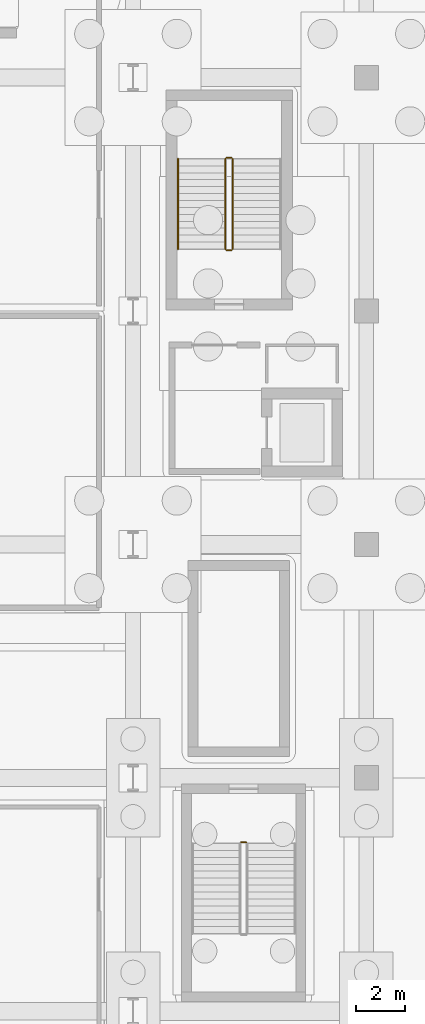
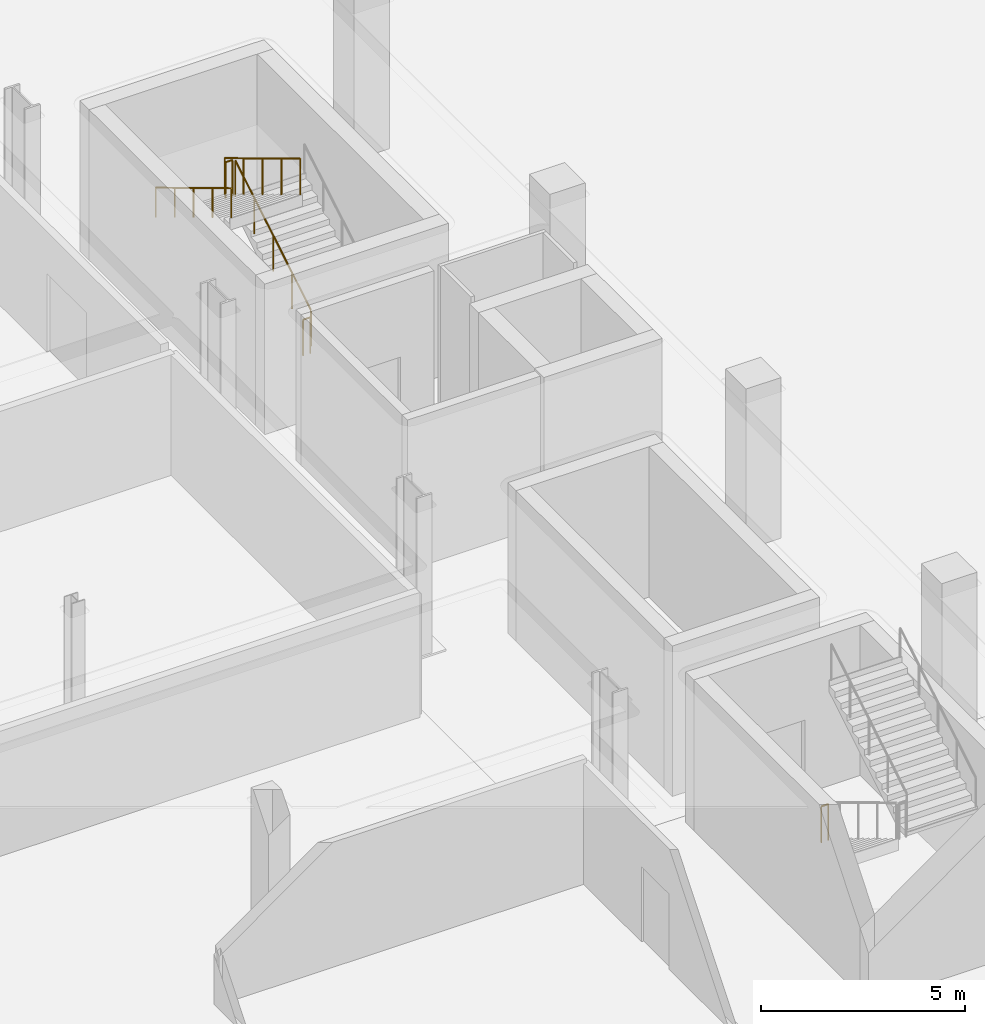
# One storey, part 49 of 67: 6 railings.
"""IFC4 building model written with IfcOpenShell, lengths in metres."""

import ifcopenshell
import ifcopenshell.guid

model = None  # the IFC model being written
_history = None  # IfcOwnerHistory: only IFC2X3 demands one
_inside = {}  # id of a spatial element -> (the spatial element, [elements in it])
_under = {}  # id of a project, library or spatial element -> (it, [spatial elements below it])
_declared = {}  # id of a project -> (the project, [libraries it declares])
_typed = {}  # id of a type object -> (the type object, [elements of that type])
_made_of = {}  # id of a material, layer set ... -> (it, [elements and type objects made of it])


def new_model(schema):
    """Start an empty IFC model of exactly this schema.

    Asked for "IFC4X3", IfcOpenShell would pick the latest addendum, in which some entities
    have other attributes; the version numbers below select the first issue.
    IFC2X3 requires an IfcOwnerHistory on every rooted entity: one is made here for all.
    """
    global model, _history
    if schema == "IFC4X3":
        model = ifcopenshell.file(schema_version=(4, 3, 0, 0))
    else:
        model = ifcopenshell.file(schema=schema)
    _inside.clear()
    _under.clear()
    _declared.clear()
    _typed.clear()
    _made_of.clear()
    _history = None
    if model.schema == "IFC2X3":
        org = make("IfcOrganization", Name="unknown")
        user = make(
            "IfcPersonAndOrganization",
            ThePerson=make("IfcPerson", FamilyName="unknown"),
            TheOrganization=org,
        )
        app = make(
            "IfcApplication",
            ApplicationDeveloper=org,
            Version="unknown",
            ApplicationFullName="unknown",
            ApplicationIdentifier="unknown",
        )
        _history = make(
            "IfcOwnerHistory",
            OwningUser=user,
            OwningApplication=app,
            ChangeAction="ADDED",
            CreationDate=0,
        )
    return model


def make(cls, **values):
    """One entity of the class cls with the attributes given. An attribute that is None is left unset."""
    return model.create_entity(
        cls, **{name: value for name, value in values.items() if value is not None}
    )


def rooted(cls, **values):
    """An entity with a GlobalId (a new one), such as an element, a storey or a relation."""
    return make(cls, GlobalId=ifcopenshell.guid.new(), OwnerHistory=_history, **values)


def si_unit(unit_type, name, prefix=None):
    """IfcSIUnit, for example si_unit("LENGTHUNIT", "METRE", prefix="MILLI")."""
    return make("IfcSIUnit", UnitType=unit_type, Prefix=prefix, Name=name)


def assignment(units):
    """IfcUnitAssignment: the units of a project."""
    return None if units is None else make("IfcUnitAssignment", Units=units)


def point(xyz):
    """IfcCartesianPoint."""
    return None if xyz is None else make("IfcCartesianPoint", Coordinates=xyz)


def direction(xyz):
    """IfcDirection."""
    return None if xyz is None else make("IfcDirection", DirectionRatios=xyz)


def frame(location, z_axis=None, x_axis=None):
    """IfcAxis2Placement3D, a coordinate frame: its origin and axes. An axis left out is left unset."""
    return make(
        "IfcAxis2Placement3D",
        Location=point(location),
        Axis=direction(z_axis),
        RefDirection=direction(x_axis),
    )


def frame_2d(location, x_axis=None):
    """IfcAxis2Placement2D, a coordinate frame in the plane: its origin and x axis."""
    return make(
        "IfcAxis2Placement2D", Location=point(location), RefDirection=direction(x_axis)
    )


def origin():
    """The frame at (0, 0, 0) with its axes left unset."""
    return frame((0.0, 0.0, 0.0))


def origin_2d():
    """The frame at (0, 0) in the plane with its x axis left unset."""
    return frame_2d((0.0, 0.0))


def place(relative_to, where):
    """IfcLocalPlacement: puts the frame where relative to a parent placement (None: the world)."""
    return make(
        "IfcLocalPlacement", PlacementRelTo=relative_to, RelativePlacement=where
    )


def context(
    kind, dimensions, precision=None, world=None, true_north=None, identifier=None
):
    """IfcGeometricRepresentationContext, for example the 3D "Model" context."""
    return make(
        "IfcGeometricRepresentationContext",
        ContextIdentifier=identifier,
        ContextType=kind,
        CoordinateSpaceDimension=dimensions,
        Precision=precision,
        WorldCoordinateSystem=world,
        TrueNorth=true_north,
    )


def subcontext(parent, identifier, kind, view, scale=None):
    """IfcGeometricRepresentationSubContext, for example "Body" below "Model"."""
    return make(
        "IfcGeometricRepresentationSubContext",
        ContextIdentifier=identifier,
        ContextType=kind,
        ParentContext=parent,
        TargetScale=scale,
        TargetView=view,
    )


def project(units=None, contexts=None):
    """IfcProject with its units and contexts."""
    return rooted(
        "IfcProject",
        Name="project",
        RepresentationContexts=contexts,
        UnitsInContext=assignment(units),
    )


def spatial(cls, under=None, at=None, **own):
    """A site, building, storey or space (cls), placed at a placement, below another one or the project."""
    s = rooted(cls, ObjectPlacement=at, **own)
    if under is not None:
        _under.setdefault(under.id(), (under, []))[1].append(s)
    return s


def profile(cls, at=None, kind="AREA", **sizes):
    """A parametric profile (cls). Its sizes go by their IFC names, for example OverallWidth=200.0."""
    return make(cls, ProfileType=kind, Position=at, **sizes)


def circle(**sizes):
    """IfcCircleProfileDef."""
    return profile("IfcCircleProfileDef", **sizes)


def extrude(swept, where, along, depth):
    """IfcExtrudedAreaSolid: the profile swept, set in the frame where, extruded along a direction by depth."""
    return make(
        "IfcExtrudedAreaSolid",
        SweptArea=swept,
        Position=where,
        ExtrudedDirection=direction(along),
        Depth=depth,
    )


def shape(context_of_items, identifier, shape_type, items):
    """IfcShapeRepresentation: the items that make up one representation, for example the "Body"."""
    return make(
        "IfcShapeRepresentation",
        ContextOfItems=context_of_items,
        RepresentationIdentifier=identifier,
        RepresentationType=shape_type,
        Items=items,
    )


def material(Name=None, Category=None):
    """IfcMaterial."""
    return make("IfcMaterial", Name=Name, Category=Category)


def made_of(thing, what):
    """Note that an element or type object is made of a material, layer set ...; save() writes the relation."""
    if what is not None:
        _made_of.setdefault(what.id(), (what, []))[1].append(thing)
    return thing


def type_object(cls, material=None, **own):
    """A type object (cls), such as IfcWallType, which elements share."""
    return made_of(rooted(cls, **own), material)


def element(
    cls,
    number,
    at=None,
    inside=None,
    cuts=None,
    type_object=None,
    material=None,
    context=None,
    identifier="Body",
    shape_type=None,
    held_by="IfcProductDefinitionShape",
    body=None,
    shapes=None,
    **own,
):
    """One element of the class cls, such as IfcWall. Its Tag is "e" and its number.

    at: its placement. inside: the storey or other place that contains it. cuts: it is an
    opening in that element (IfcRelVoidsElement). A single representation is given by context,
    identifier, shape_type and body (its items); several are given by shapes. held_by: the class
    of the entity that holds the representations. save() writes the other relations.
    """
    e = rooted(cls, Tag="e%d" % number, ObjectPlacement=at, **own)
    if body is not None:
        shapes = [shape(context, identifier, shape_type, body)]
    if shapes is not None:
        e.Representation = make(held_by, Representations=shapes)
    if inside is not None:
        _inside.setdefault(inside.id(), (inside, []))[1].append(e)
    if cuts is not None:
        rooted(
            "IfcRelVoidsElement", RelatingBuildingElement=cuts, RelatedOpeningElement=e
        )
    if type_object is not None:
        _typed.setdefault(type_object.id(), (type_object, []))[1].append(e)
    return made_of(e, material)


def aggregate(whole, parts):
    """IfcRelAggregates: a whole, such as a stair, and the parts it consists of."""
    return rooted("IfcRelAggregates", RelatingObject=whole, RelatedObjects=parts)


def save(model, path):
    """Write the relations noted so far, then the file.

    IfcRelAggregates (storeys below a building ...), IfcRelContainedInSpatialStructure (elements
    in a storey), IfcRelDefinesByType, IfcRelAssociatesMaterial and IfcRelDeclares: one each for
    every whole, place, type object, material and project.
    """
    for whole, parts in _under.values():
        aggregate(whole, parts)
    for where, things in _inside.values():
        rooted(
            "IfcRelContainedInSpatialStructure",
            RelatedElements=things,
            RelatingStructure=where,
        )
    for kind, things in _typed.values():
        rooted("IfcRelDefinesByType", RelatedObjects=things, RelatingType=kind)
    for what, things in _made_of.values():
        rooted("IfcRelAssociatesMaterial", RelatedObjects=things, RelatingMaterial=what)
    for by, libraries in _declared.values():
        rooted("IfcRelDeclares", RelatingContext=by, RelatedDefinitions=libraries)
    model.write(path)


model = new_model("IFC4")

# Units and contexts
model_context = context("Model", 3, precision=1e-05, world=origin(), true_north=direction((0.0, 1.0)))
body_context = subcontext(model_context, "Body", "Model", "MODEL_VIEW")
ifc_project = project(units=[si_unit("LENGTHUNIT", "METRE"), si_unit("AREAUNIT", "SQUARE_METRE"), si_unit("VOLUMEUNIT", "CUBIC_METRE"), si_unit("PLANEANGLEUNIT", "RADIAN"), si_unit("MASSUNIT", "GRAM", prefix="KILO")], contexts=[model_context])

# Site, building, storey
site_placement = place(None, origin())
site = spatial("IfcSite", under=ifc_project, at=site_placement, CompositionType="ELEMENT")
building_placement = place(site_placement, origin())
building = spatial("IfcBuilding", under=site, at=building_placement, Name="Caelomonte Colonnade Arena", CompositionType="ELEMENT")
storey_placement = place(building_placement, frame((0.0, 0.0, -4.800048828125)))
storey = spatial("IfcBuildingStorey", under=building, at=storey_placement, Name="B1", CompositionType="ELEMENT", Elevation=-4.800048828125)

# Railings
ifc_material_1 = material(Name="Painted galvanized steel stair guard", Category="steel")
railing_type_1 = type_object("IfcRailingType", Name="INT-RL-GRD", PredefinedType="GUARDRAIL", material=ifc_material_1)
railing_1_placement = place(storey_placement, frame((61.699951171875, 88.949951171875, 0.17138671875)))
element("IfcRailing", 1, at=railing_1_placement, inside=storey, type_object=railing_type_1, Name="B1 ST-04 stair guard 1", PredefinedType="GUARDRAIL", context=body_context, shape_type="SweptSolid", body=[
    extrude(circle(Radius=0.02392578125, at=origin_2d()), frame((0.0, 0.0, 1.076171875), z_axis=(0.0, 0.856909459561, 0.515466951525), x_axis=(-1.0, 0.0, 0.0)), (0.0, 0.0, 1.0), 4.32373046875),
    extrude(circle(Radius=0.02099609375, at=origin_2d()), origin(), (0.0, 0.0, 1.0), 1.048095703125),
    extrude(circle(Radius=0.02099609375, at=origin_2d()), frame((0.0, 0.92626953125, 0.55712890625)), (0.0, 0.0, 1.0), 1.048095703125),
    extrude(circle(Radius=0.02099609375, at=origin_2d()), frame((0.0, 1.8525390625, 1.1142578125)), (0.0, 0.0, 1.0), 1.048095703125),
    extrude(circle(Radius=0.02099609375, at=origin_2d()), frame((0.0, 2.77880859375, 1.671630859375)), (0.0, 0.0, 1.0), 1.048095703125),
    extrude(circle(Radius=0.02099609375, at=origin_2d()), frame((0.0, 3.705078125, 2.228759765625)), (0.0, 0.0, 1.0), 1.048095703125),
])
railing_2_placement = place(storey_placement, frame((61.64990234375, 92.705078125, 2.400146484375)))
element("IfcRailing", 2, at=railing_2_placement, inside=storey, type_object=railing_type_1, Name="B1 ST-04 stair guard 2", PredefinedType="GUARDRAIL", context=body_context, shape_type="SweptSolid", body=[
    extrude(circle(Radius=0.02392578125, at=origin_2d()), frame((0.0, 0.0, 1.076171875), z_axis=(-1.0, 0.0, 0.0), x_axis=(0.0, -1.0, 0.0)), (0.0, 0.0, 1.0), 0.199951171875),
    extrude(circle(Radius=0.02099609375, at=origin_2d()), origin(), (0.0, 0.0, 1.0), 1.048095703125),
    extrude(circle(Radius=0.02099609375, at=origin_2d()), frame((-0.199951171875, 0.0, 0.0)), (0.0, 0.0, 1.0), 1.048095703125),
])
railing_3_placement = place(storey_placement, frame((61.39990234375, 92.655029296875, 2.571533203125)))
element("IfcRailing", 3, at=railing_3_placement, inside=storey, type_object=railing_type_1, Name="B1 ST-04 stair guard 3", PredefinedType="GUARDRAIL", context=body_context, shape_type="SweptSolid", body=[
    extrude(circle(Radius=0.02392578125, at=origin_2d()), frame((0.0, 0.0, 1.076171875), z_axis=(0.0, -0.856934400257, 0.515425487977), x_axis=(1.0, 0.0, 0.0)), (0.0, 0.0, 1.0), 4.32373046875),
    extrude(circle(Radius=0.02099609375, at=origin_2d()), origin(), (0.0, 0.0, 1.0), 1.048095703125),
    extrude(circle(Radius=0.02099609375, at=origin_2d()), frame((0.0, -0.92626953125, 0.55712890625)), (0.0, 0.0, 1.0), 1.048095703125),
    extrude(circle(Radius=0.02099609375, at=origin_2d()), frame((0.0, -1.8525390625, 1.1142578125)), (0.0, 0.0, 1.0), 1.048095703125),
    extrude(circle(Radius=0.02099609375, at=origin_2d()), frame((0.0, -2.77880859375, 1.67138671875)), (0.0, 0.0, 1.0), 1.048095703125),
    extrude(circle(Radius=0.02099609375, at=origin_2d()), frame((0.0, -3.705078125, 2.228515625)), (0.0, 0.0, 1.0), 1.048095703125),
])
railing_4_placement = place(storey_placement, frame((61.64990234375, 88.89990234375, 0.0)))
element("IfcRailing", 4, at=railing_4_placement, inside=storey, type_object=railing_type_1, Name="B1 ST-04 stair guard 4", PredefinedType="GUARDRAIL", context=body_context, shape_type="SweptSolid", body=[
    extrude(circle(Radius=0.02392578125, at=origin_2d()), frame((0.0, 0.0, 1.076171875), z_axis=(-1.0, 0.0, 0.0), x_axis=(0.0, -1.0, 0.0)), (0.0, 0.0, 1.0), 0.199951171875),
    extrude(circle(Radius=0.02099609375, at=origin_2d()), origin(), (0.0, 0.0, 1.0), 1.048095703125),
    extrude(circle(Radius=0.02099609375, at=origin_2d()), frame((-0.199951171875, 0.0, 0.0)), (0.0, 0.0, 1.0), 1.048095703125),
])
railing_5_placement = place(storey_placement, frame((62.050048828125, 64.550048828125, 0.0)))
element("IfcRailing", 5, at=railing_5_placement, inside=storey, type_object=railing_type_1, Name="B1 ST-09 stair guard 4", PredefinedType="GUARDRAIL", context=body_context, shape_type="SweptSolid", body=[
    extrude(circle(Radius=0.02392578125, at=origin_2d()), frame((0.0, 0.0, 1.076171875), z_axis=(1.0, 0.0, 0.0), x_axis=(0.0, 1.0, 0.0)), (0.0, 0.0, 1.0), 0.199951171875),
    extrude(circle(Radius=0.02099609375, at=origin_2d()), origin(), (0.0, 0.0, 1.0), 1.048095703125),
    extrude(circle(Radius=0.02099609375, at=origin_2d()), frame((0.199951171875, 0.0, 0.0)), (0.0, 0.0, 1.0), 1.048095703125),
])
ifc_material_2 = material(Name="Brushed stainless steel stair handrail", Category="steel")
railing_type_2 = type_object("IfcRailingType", Name="INT-RL-HR", PredefinedType="HANDRAIL", material=ifc_material_2)
railing_6_placement = place(storey_placement, frame((59.449951171875, 92.655029296875, 2.571533203125)))
element("IfcRailing", 6, at=railing_6_placement, inside=storey, type_object=railing_type_2, Name="B1 ST-04 stair handrail 2", PredefinedType="HANDRAIL", context=body_context, shape_type="SweptSolid", body=[
    extrude(circle(Radius=0.02392578125, at=origin_2d()), frame((0.0, 0.0, 0.8759765625), z_axis=(0.0, -0.856934400257, 0.515425487977), x_axis=(1.0, 0.0, 0.0)), (0.0, 0.0, 1.0), 4.32373046875),
    extrude(circle(Radius=0.02099609375, at=origin_2d()), origin(), (0.0, 0.0, 1.0), 0.847900390625),
    extrude(circle(Radius=0.02099609375, at=origin_2d()), frame((0.0, -0.92626953125, 0.55712890625)), (0.0, 0.0, 1.0), 0.847900390625),
    extrude(circle(Radius=0.02099609375, at=origin_2d()), frame((0.0, -1.8525390625, 1.1142578125)), (0.0, 0.0, 1.0), 0.847900390625),
    extrude(circle(Radius=0.02099609375, at=origin_2d()), frame((0.0, -2.77880859375, 1.67138671875)), (0.0, 0.0, 1.0), 0.847900390625),
    extrude(circle(Radius=0.02099609375, at=origin_2d()), frame((0.0, -3.705078125, 2.228515625)), (0.0, 0.0, 1.0), 0.847900390625),
])

save(model, "model.ifc")
